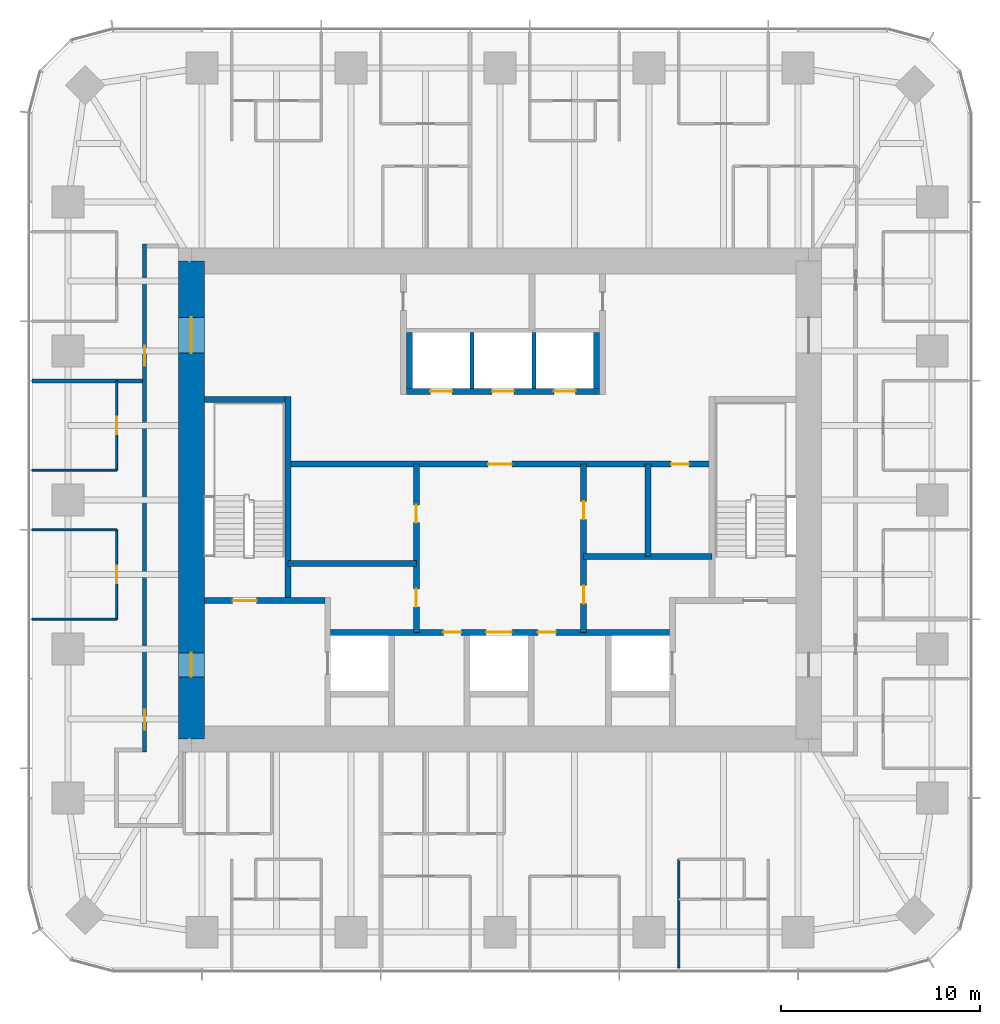
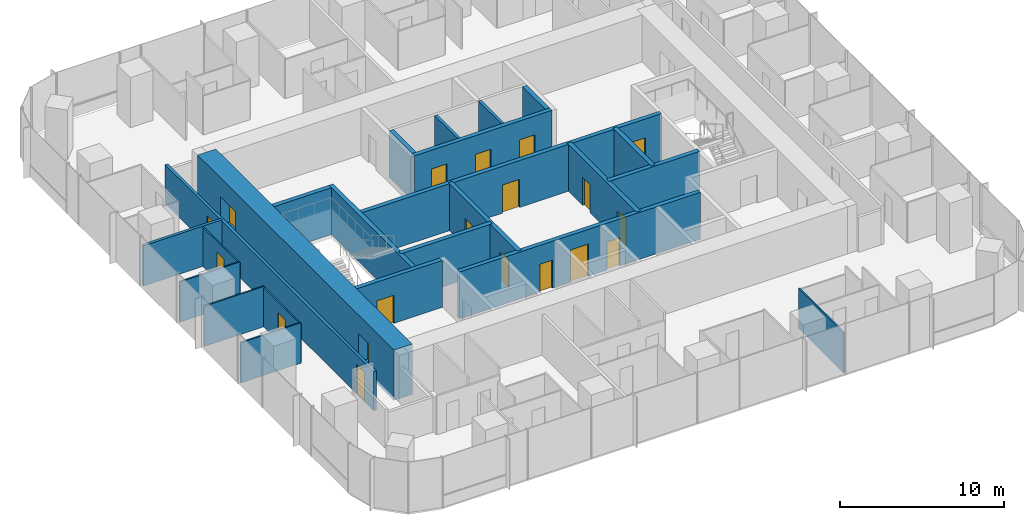
# One storey, part 9 of 12: 24 walls, 19 doors, 19 openings.
"""IFC4 building model written with IfcOpenShell, lengths in metres."""

from ifc_helpers import new_model, si_unit, direction, frame, frame_2d, origin, place, context, subcontext, project, spatial, rectangle, extrude, material, layer, layer_set, type_object, element, fill, save


model = new_model("IFC4")

# Units and contexts
model_context = context("Model", 3, precision=1e-05, world=origin(), true_north=direction((0.0, 1.0)))
body_context = subcontext(model_context, "Body", "Model", "MODEL_VIEW")
ifc_project = project(units=[si_unit("LENGTHUNIT", "METRE"), si_unit("AREAUNIT", "SQUARE_METRE"), si_unit("VOLUMEUNIT", "CUBIC_METRE"), si_unit("PLANEANGLEUNIT", "RADIAN"), si_unit("MASSUNIT", "GRAM", prefix="KILO")], contexts=[model_context])

# Site, building, storey
site_placement = place(None, origin())
site = spatial("IfcSite", under=ifc_project, at=site_placement, CompositionType="ELEMENT")
building_placement = place(site_placement, origin())
building = spatial("IfcBuilding", under=site, at=building_placement, Name="Khuree Lantern Residences", CompositionType="ELEMENT")
storey_placement = place(building_placement, frame((0.0, 0.0, 308.25)))
storey = spatial("IfcBuildingStorey", under=building, at=storey_placement, Name="L77", CompositionType="ELEMENT", Elevation=308.25)

# Wall, openings, doors
ifc_material_1 = material(Name="Dense concrete blockwork", Category="masonry")
ifc_layer_1 = layer(ifc_material_1, 0.300048828125)
ifc_layer_set_1 = layer_set([ifc_layer_1], Name="CORE PARTITION WALL CPW300 EI 120")
wall_type_1 = type_object("IfcWallType", Name="CORE PARTITION WALL CPW300 EI 120", PredefinedType="PARTITIONING", material=ifc_layer_set_1)
wall_1_placement = place(storey_placement, frame((-8.5, -6.64990234375, 0.0), z_axis=(0.0, 0.0, 1.0), x_axis=(1.0, 0.0, 0.0)))
wall_1 = element("IfcWall", 1, at=wall_1_placement, inside=storey, type_object=wall_type_1, Name="L77 CORE WALL FLROW", PredefinedType="PARTITIONING", context=body_context, shape_type="SweptSolid", body=[
    extrude(rectangle(XDim=17.0, YDim=0.300048828125, at=frame_2d((8.5, 0.0))), origin(), (0.0, 0.0, 1.0), 3.5),
])
opening_1_placement = place(wall_1_placement, frame((7.800048828125, 0.0, 0.0)))
opening_1 = element("IfcOpeningElement", 2, at=opening_1_placement, cuts=wall_1, Name="Opening 77-012", PredefinedType="OPENING", context=body_context, shape_type="SweptSolid", body=[
    extrude(rectangle(XDim=1.300048828125, YDim=2.39990234375, at=frame_2d((0.64990234375, 1.199951171875))), frame((0.0, 0.16015625, 0.0), z_axis=(0.0, -1.0, 0.0), x_axis=(1.0, 0.0, 0.0)), (0.0, 0.0, 1.0), 0.320068359375),
])
opening_2_placement = place(wall_1_placement, frame((5.64990234375, 0.0, 0.0)))
opening_2 = element("IfcOpeningElement", 3, at=opening_2_placement, cuts=wall_1, Name="Opening 77-014", PredefinedType="OPENING", context=body_context, shape_type="SweptSolid", body=[
    extrude(rectangle(XDim=0.89990234375, YDim=2.10009765625, at=frame_2d((0.449951171875, 1.050048828125))), frame((0.0, 0.16015625, 0.0), z_axis=(0.0, -1.0, 0.0), x_axis=(1.0, 0.0, 0.0)), (0.0, 0.0, 1.0), 0.320068359375),
])
opening_3_placement = place(wall_1_placement, frame((10.39990234375, 0.0, 0.0)))
opening_3 = element("IfcOpeningElement", 4, at=opening_3_placement, cuts=wall_1, Name="Opening 77-015", PredefinedType="OPENING", context=body_context, shape_type="SweptSolid", body=[
    extrude(rectangle(XDim=0.89990234375, YDim=2.10009765625, at=frame_2d((0.449951171875, 1.050048828125))), frame((0.0, 0.16015625, 0.0), z_axis=(0.0, -1.0, 0.0), x_axis=(1.0, 0.0, 0.0)), (0.0, 0.0, 1.0), 0.320068359375),
])
ifc_material_2 = material(Name="Steel door leaf in steel frame", Category="steel")
door_type_1 = type_object("IfcDoorType", Name="DOOR 900X2100 EI 60", OperationType="SINGLE_SWING_LEFT", PredefinedType="DOOR", material=ifc_material_2)
door_1_placement = place(opening_2_placement, origin())
door_1 = element("IfcDoor", 5, at=door_1_placement, inside=storey, type_object=door_type_1, Name="Refuse chute room door 77-014", OperationType="SINGLE_SWING_LEFT", OverallHeight=2.10009765625, OverallWidth=0.89990234375, PredefinedType="DOOR", context=body_context, shape_type="SweptSolid", body=[
    extrude(rectangle(XDim=0.89990234375, YDim=2.10009765625, at=frame_2d((0.449951171875, 1.050048828125))), frame((0.0, 0.02490234375, 0.0), z_axis=(0.0, -1.0, 0.0), x_axis=(1.0, 0.0, 0.0)), (0.0, 0.0, 1.0), 0.050048828125),
])
fill(opening_2, door_1)
door_type_2 = type_object("IfcDoorType", Name="DOOR 900X2100 EI 60 RIGHT HAND", OperationType="SINGLE_SWING_RIGHT", PredefinedType="DOOR", material=ifc_material_2)
door_2_placement = place(opening_3_placement, origin())
door_2 = element("IfcDoor", 6, at=door_2_placement, inside=storey, type_object=door_type_2, Name="Electrical and plumbing riser door 77-015", OperationType="SINGLE_SWING_RIGHT", OverallHeight=2.10009765625, OverallWidth=0.89990234375, PredefinedType="DOOR", context=body_context, shape_type="SweptSolid", body=[
    extrude(rectangle(XDim=0.89990234375, YDim=2.10009765625, at=frame_2d((0.449951171875, 1.050048828125))), frame((0.0, 0.02490234375, 0.0), z_axis=(0.0, -1.0, 0.0), x_axis=(1.0, 0.0, 0.0)), (0.0, 0.0, 1.0), 0.050048828125),
])
fill(opening_3, door_2)
ifc_material_3 = material(Name="Stainless steel lift landing door", Category="steel")
door_type_3 = type_object("IfcDoorType", Name="LIFT LANDING DOOR 1300X2400 E 60", OperationType="DOUBLE_DOOR_SLIDING", PredefinedType="DOOR", material=ifc_material_3)
door_3_placement = place(opening_1_placement, origin())
door_3 = element("IfcDoor", 7, at=door_3_placement, inside=storey, type_object=door_type_3, Name="Landing door SL1 77-012", OperationType="DOUBLE_DOOR_SLIDING", OverallHeight=2.39990234375, OverallWidth=1.300048828125, PredefinedType="DOOR", context=body_context, shape_type="SweptSolid", body=[
    extrude(rectangle(XDim=1.300048828125, YDim=2.39990234375, at=frame_2d((0.64990234375, 1.199951171875))), frame((0.0, 0.02490234375, 0.0), z_axis=(0.0, -1.0, 0.0), x_axis=(1.0, 0.0, 0.0)), (0.0, 0.0, 1.0), 0.050048828125),
])
fill(opening_1, door_3)

wall_2_placement = place(storey_placement, frame((-4.699951171875, 5.449951171875, 0.0), z_axis=(0.0, 0.0, 1.0), x_axis=(1.0, 0.0, 0.0)))
wall_2 = element("IfcWall", 8, at=wall_2_placement, inside=storey, type_object=wall_type_1, Name="L77 CORE WALL PHS", PredefinedType="PARTITIONING", context=body_context, shape_type="SweptSolid", body=[
    extrude(rectangle(XDim=9.699951171875, YDim=0.300048828125, at=frame_2d((4.85009765625, 0.0))), origin(), (0.0, 0.0, 1.0), 3.5),
])
opening_4_placement = place(wall_2_placement, frame((1.199951171875, 0.0, 0.0)))
opening_4 = element("IfcOpeningElement", 9, at=opening_4_placement, cuts=wall_2, Name="Opening 77-009", PredefinedType="OPENING", context=body_context, shape_type="SweptSolid", body=[
    extrude(rectangle(XDim=1.10009765625, YDim=2.10009765625, at=frame_2d((0.550048828125, 1.050048828125))), frame((0.0, 0.16015625, 0.0), z_axis=(0.0, -1.0, 0.0), x_axis=(1.0, 0.0, 0.0)), (0.0, 0.0, 1.0), 0.320068359375),
])
opening_5_placement = place(wall_2_placement, frame((4.300048828125, 0.0, 0.0)))
opening_5 = element("IfcOpeningElement", 10, at=opening_5_placement, cuts=wall_2, Name="Opening 77-010", PredefinedType="OPENING", context=body_context, shape_type="SweptSolid", body=[
    extrude(rectangle(XDim=1.10009765625, YDim=2.10009765625, at=frame_2d((0.550048828125, 1.050048828125))), frame((0.0, 0.16015625, 0.0), z_axis=(0.0, -1.0, 0.0), x_axis=(1.0, 0.0, 0.0)), (0.0, 0.0, 1.0), 0.320068359375),
])
opening_6_placement = place(wall_2_placement, frame((7.39990234375, 0.0, 0.0)))
opening_6 = element("IfcOpeningElement", 11, at=opening_6_placement, cuts=wall_2, Name="Opening 77-011", PredefinedType="OPENING", context=body_context, shape_type="SweptSolid", body=[
    extrude(rectangle(XDim=1.10009765625, YDim=2.10009765625, at=frame_2d((0.550048828125, 1.050048828125))), frame((0.0, 0.16015625, 0.0), z_axis=(0.0, -1.0, 0.0), x_axis=(1.0, 0.0, 0.0)), (0.0, 0.0, 1.0), 0.320068359375),
])
door_type_4 = type_object("IfcDoorType", Name="LIFT LANDING DOOR 1100X2100 E 60", OperationType="DOUBLE_DOOR_SLIDING", PredefinedType="DOOR", material=ifc_material_3)
door_4_placement = place(opening_4_placement, origin())
door_4 = element("IfcDoor", 12, at=door_4_placement, inside=storey, type_object=door_type_4, Name="Landing door PH1 77-009", OperationType="DOUBLE_DOOR_SLIDING", OverallHeight=2.10009765625, OverallWidth=1.10009765625, PredefinedType="DOOR", context=body_context, shape_type="SweptSolid", body=[
    extrude(rectangle(XDim=1.10009765625, YDim=2.10009765625, at=frame_2d((0.550048828125, 1.050048828125))), frame((0.0, 0.02490234375, 0.0), z_axis=(0.0, -1.0, 0.0), x_axis=(1.0, 0.0, 0.0)), (0.0, 0.0, 1.0), 0.050048828125),
])
fill(opening_4, door_4)
door_5_placement = place(opening_5_placement, origin())
door_5 = element("IfcDoor", 13, at=door_5_placement, inside=storey, type_object=door_type_4, Name="Landing door PH2 77-010", OperationType="DOUBLE_DOOR_SLIDING", OverallHeight=2.10009765625, OverallWidth=1.10009765625, PredefinedType="DOOR", context=body_context, shape_type="SweptSolid", body=[
    extrude(rectangle(XDim=1.10009765625, YDim=2.10009765625, at=frame_2d((0.550048828125, 1.050048828125))), frame((0.0, 0.02490234375, 0.0), z_axis=(0.0, -1.0, 0.0), x_axis=(1.0, 0.0, 0.0)), (0.0, 0.0, 1.0), 0.050048828125),
])
fill(opening_5, door_5)
door_6_placement = place(opening_6_placement, origin())
door_6 = element("IfcDoor", 14, at=door_6_placement, inside=storey, type_object=door_type_4, Name="Landing door PH3 77-011", OperationType="DOUBLE_DOOR_SLIDING", OverallHeight=2.10009765625, OverallWidth=1.10009765625, PredefinedType="DOOR", context=body_context, shape_type="SweptSolid", body=[
    extrude(rectangle(XDim=1.10009765625, YDim=2.10009765625, at=frame_2d((0.550048828125, 1.050048828125))), frame((0.0, 0.02490234375, 0.0), z_axis=(0.0, -1.0, 0.0), x_axis=(1.0, 0.0, 0.0)), (0.0, 0.0, 1.0), 0.050048828125),
])
fill(opening_6, door_6)

# Walls
for number, where, z_axis, x_axis, name in (
    (15, (-4.550048828125, 5.60009765625, 0.0), (0.0, 0.0, 1.0), (0.0, 1.0, 0.0), "L77 CORE WALL PHW"),
    (16, (4.85009765625, 5.60009765625, 0.0), (0.0, 0.0, 1.0), (0.0, 1.0, 0.0), "L77 CORE WALL PHE"),
):
    element("IfcWall", number, at=place(storey_placement, frame(where, z_axis=z_axis, x_axis=x_axis)), inside=storey, type_object=wall_type_1, Name=name, PredefinedType="PARTITIONING", context=body_context, shape_type="SweptSolid", body=[
        extrude(rectangle(XDim=2.7998046875, YDim=0.300048828125, at=frame_2d((1.39990234375, 0.0))), origin(), (0.0, 0.0, 1.0), 3.5),
    ])

# Wall, openings, doors
wall_3_placement = place(storey_placement, frame((-10.64990234375, 1.800048828125, 0.0), z_axis=(0.0, 0.0, 1.0), x_axis=(1.0, 0.0, 0.0)))
wall_3 = element("IfcWall", 17, at=wall_3_placement, inside=storey, type_object=wall_type_1, Name="L77 CORE WALL LLS", PredefinedType="PARTITIONING", context=body_context, shape_type="SweptSolid", body=[
    extrude(rectangle(XDim=21.2998046875, YDim=0.300048828125, at=frame_2d((10.64990234375, 0.0))), origin(), (0.0, 0.0, 1.0), 3.5),
])
opening_7_placement = place(wall_3_placement, frame((10.050048828125, 0.0, 0.0)))
opening_7 = element("IfcOpeningElement", 18, at=opening_7_placement, cuts=wall_3, Name="Opening 77-013", PredefinedType="OPENING", context=body_context, shape_type="SweptSolid", body=[
    extrude(rectangle(XDim=1.199951171875, YDim=2.10009765625, at=frame_2d((0.60009765625, 1.050048828125))), frame((0.0, 0.16015625, 0.0), z_axis=(0.0, -1.0, 0.0), x_axis=(1.0, 0.0, 0.0)), (0.0, 0.0, 1.0), 0.320068359375),
])
opening_8_placement = place(wall_3_placement, frame((19.238037109375, 0.0, 0.0)))
opening_8 = element("IfcOpeningElement", 19, at=opening_8_placement, cuts=wall_3, Name="Opening 77-020", PredefinedType="OPENING", context=body_context, shape_type="SweptSolid", body=[
    extrude(rectangle(XDim=0.89990234375, YDim=2.10009765625, at=frame_2d((0.449951171875, 1.050048828125))), frame((0.0, 0.16015625, 0.0), z_axis=(0.0, -1.0, 0.0), x_axis=(1.0, 0.0, 0.0)), (0.0, 0.0, 1.0), 0.320068359375),
])
door_type_5 = type_object("IfcDoorType", Name="DOOR 1200X2100 EI 60", OperationType="SINGLE_SWING_LEFT", PredefinedType="DOOR", material=ifc_material_2)
door_7_placement = place(opening_7_placement, origin())
door_7 = element("IfcDoor", 20, at=door_7_placement, inside=storey, type_object=door_type_5, Name="Service lift lobby door 77-013", OperationType="SINGLE_SWING_LEFT", OverallHeight=2.10009765625, OverallWidth=1.199951171875, PredefinedType="DOOR", context=body_context, shape_type="SweptSolid", body=[
    extrude(rectangle(XDim=1.199951171875, YDim=2.10009765625, at=frame_2d((0.60009765625, 1.050048828125))), frame((0.0, 0.02490234375, 0.0), z_axis=(0.0, -1.0, 0.0), x_axis=(1.0, 0.0, 0.0)), (0.0, 0.0, 1.0), 0.050048828125),
])
fill(opening_7, door_7)
ifc_material_4 = material(Name="Timber door leaf in hardwood frame", Category="wood")
door_type_6 = type_object("IfcDoorType", Name="DOOR 900X2100 RIGHT HAND", OperationType="SINGLE_SWING_RIGHT", PredefinedType="DOOR", material=ifc_material_4)
door_8_placement = place(opening_8_placement, origin())
door_8 = element("IfcDoor", 21, at=door_8_placement, inside=storey, type_object=door_type_6, Name="Housekeeping store door 77-020", OperationType="SINGLE_SWING_RIGHT", OverallHeight=2.10009765625, OverallWidth=0.89990234375, PredefinedType="DOOR", context=body_context, shape_type="SweptSolid", body=[
    extrude(rectangle(XDim=0.89990234375, YDim=2.10009765625, at=frame_2d((0.449951171875, 1.050048828125))), frame((0.0, 0.02490234375, 0.0), z_axis=(0.0, -1.0, 0.0), x_axis=(1.0, 0.0, 0.0)), (0.0, 0.0, 1.0), 0.050048828125),
])
fill(opening_8, door_8)

wall_4_placement = place(storey_placement, frame((-4.199951171875, -6.64990234375, 0.0), z_axis=(0.0, 0.0, 1.0), x_axis=(0.0, 1.0, 0.0)))
wall_4 = element("IfcWall", 22, at=wall_4_placement, inside=storey, type_object=wall_type_1, Name="L77 CORE WALL SVW", PredefinedType="PARTITIONING", context=body_context, shape_type="SweptSolid", body=[
    extrude(rectangle(XDim=8.449951171875, YDim=0.300048828125, at=frame_2d((4.22509765625, 0.0))), origin(), (0.0, 0.0, 1.0), 3.5),
])
opening_9_placement = place(wall_4_placement, frame((1.284912109375, 0.0, 0.0)))
opening_9 = element("IfcOpeningElement", 23, at=opening_9_placement, cuts=wall_4, Name="Opening 77-016", PredefinedType="OPENING", context=body_context, shape_type="SweptSolid", body=[
    extrude(rectangle(XDim=0.89990234375, YDim=2.10009765625, at=frame_2d((0.449951171875, 1.050048828125))), frame((0.0, 0.16015625, 0.0), z_axis=(0.0, -1.0, 0.0), x_axis=(1.0, 0.0, 0.0)), (0.0, 0.0, 1.0), 0.320068359375),
])
opening_10_placement = place(wall_4_placement, frame((5.510009765625, 0.0, 0.0)))
opening_10 = element("IfcOpeningElement", 24, at=opening_10_placement, cuts=wall_4, Name="Opening 77-017", PredefinedType="OPENING", context=body_context, shape_type="SweptSolid", body=[
    extrude(rectangle(XDim=0.89990234375, YDim=2.10009765625, at=frame_2d((0.449951171875, 1.050048828125))), frame((0.0, 0.16015625, 0.0), z_axis=(0.0, -1.0, 0.0), x_axis=(1.0, 0.0, 0.0)), (0.0, 0.0, 1.0), 0.320068359375),
])
door_type_7 = type_object("IfcDoorType", Name="DOOR 900X2100", OperationType="SINGLE_SWING_LEFT", PredefinedType="DOOR", material=ifc_material_4)
door_9_placement = place(opening_9_placement, origin())
door_9 = element("IfcDoor", 25, at=door_9_placement, inside=storey, type_object=door_type_7, Name="Bulky waste store door 77-016", OperationType="SINGLE_SWING_LEFT", OverallHeight=2.10009765625, OverallWidth=0.89990234375, PredefinedType="DOOR", context=body_context, shape_type="SweptSolid", body=[
    extrude(rectangle(XDim=0.89990234375, YDim=2.10009765625, at=frame_2d((0.449951171875, 1.050048828125))), frame((0.0, 0.02490234375, 0.0), z_axis=(0.0, -1.0, 0.0), x_axis=(1.0, 0.0, 0.0)), (0.0, 0.0, 1.0), 0.050048828125),
])
fill(opening_9, door_9)
door_10_placement = place(opening_10_placement, origin())
door_10 = element("IfcDoor", 26, at=door_10_placement, inside=storey, type_object=door_type_7, Name="Residents' store door 77-017", OperationType="SINGLE_SWING_LEFT", OverallHeight=2.10009765625, OverallWidth=0.89990234375, PredefinedType="DOOR", context=body_context, shape_type="SweptSolid", body=[
    extrude(rectangle(XDim=0.89990234375, YDim=2.10009765625, at=frame_2d((0.449951171875, 1.050048828125))), frame((0.0, 0.02490234375, 0.0), z_axis=(0.0, -1.0, 0.0), x_axis=(1.0, 0.0, 0.0)), (0.0, 0.0, 1.0), 0.050048828125),
])
fill(opening_10, door_10)

wall_5_placement = place(storey_placement, frame((4.199951171875, -6.64990234375, 0.0), z_axis=(0.0, 0.0, 1.0), x_axis=(0.0, 1.0, 0.0)))
wall_5 = element("IfcWall", 27, at=wall_5_placement, inside=storey, type_object=wall_type_1, Name="L77 CORE WALL SVE", PredefinedType="PARTITIONING", context=body_context, shape_type="SweptSolid", body=[
    extrude(rectangle(XDim=8.449951171875, YDim=0.300048828125, at=frame_2d((4.22509765625, 0.0))), origin(), (0.0, 0.0, 1.0), 3.5),
])
opening_11_placement = place(wall_5_placement, frame((1.450927734375, 0.0, 0.0)))
opening_11 = element("IfcOpeningElement", 28, at=opening_11_placement, cuts=wall_5, Name="Opening 77-018", PredefinedType="OPENING", context=body_context, shape_type="SweptSolid", body=[
    extrude(rectangle(XDim=0.89990234375, YDim=2.10009765625, at=frame_2d((0.449951171875, 1.050048828125))), frame((0.0, 0.16015625, 0.0), z_axis=(0.0, -1.0, 0.0), x_axis=(1.0, 0.0, 0.0)), (0.0, 0.0, 1.0), 0.320068359375),
])
opening_12_placement = place(wall_5_placement, frame((5.676025390625, 0.0, 0.0)))
opening_12 = element("IfcOpeningElement", 29, at=opening_12_placement, cuts=wall_5, Name="Opening 77-019", PredefinedType="OPENING", context=body_context, shape_type="SweptSolid", body=[
    extrude(rectangle(XDim=0.89990234375, YDim=2.10009765625, at=frame_2d((0.449951171875, 1.050048828125))), frame((0.0, 0.16015625, 0.0), z_axis=(0.0, -1.0, 0.0), x_axis=(1.0, 0.0, 0.0)), (0.0, 0.0, 1.0), 0.320068359375),
])
door_11_placement = place(opening_11_placement, origin())
door_11 = element("IfcDoor", 30, at=door_11_placement, inside=storey, type_object=door_type_7, Name="Bulky waste store door 77-018", OperationType="SINGLE_SWING_LEFT", OverallHeight=2.10009765625, OverallWidth=0.89990234375, PredefinedType="DOOR", context=body_context, shape_type="SweptSolid", body=[
    extrude(rectangle(XDim=0.89990234375, YDim=2.10009765625, at=frame_2d((0.449951171875, 1.050048828125))), frame((0.0, 0.02490234375, 0.0), z_axis=(0.0, -1.0, 0.0), x_axis=(1.0, 0.0, 0.0)), (0.0, 0.0, 1.0), 0.050048828125),
])
fill(opening_11, door_11)
door_12_placement = place(opening_12_placement, origin())
door_12 = element("IfcDoor", 31, at=door_12_placement, inside=storey, type_object=door_type_6, Name="Refuse holding room door 77-019", OperationType="SINGLE_SWING_RIGHT", OverallHeight=2.10009765625, OverallWidth=0.89990234375, PredefinedType="DOOR", context=body_context, shape_type="SweptSolid", body=[
    extrude(rectangle(XDim=0.89990234375, YDim=2.10009765625, at=frame_2d((0.449951171875, 1.050048828125))), frame((0.0, 0.02490234375, 0.0), z_axis=(0.0, -1.0, 0.0), x_axis=(1.0, 0.0, 0.0)), (0.0, 0.0, 1.0), 0.050048828125),
])
fill(opening_12, door_12)

# Walls
for number, where, z_axis, x_axis, name in (
    (32, (-10.64990234375, -3.179931640625, 0.0), (0.0, 0.0, 1.0), (1.0, 0.0, 0.0), "L77 CORE WALL WX"),
    (33, (10.64990234375, -2.847900390625, 0.0), (0.0, 0.0, 1.0), (-1.0, 0.0, 0.0), "L77 CORE WALL EX"),
):
    element("IfcWall", number, at=place(storey_placement, frame(where, z_axis=z_axis, x_axis=x_axis)), inside=storey, type_object=wall_type_1, Name=name, PredefinedType="PARTITIONING", context=body_context, shape_type="SweptSolid", body=[
        extrude(rectangle(XDim=6.449951171875, YDim=0.300048828125, at=frame_2d((3.22509765625, 0.0))), origin(), (0.0, 0.0, 1.0), 3.5),
    ])
wall_6_placement = place(storey_placement, frame((7.425048828125, -2.847900390625, 0.0), z_axis=(0.0, 0.0, 1.0), x_axis=(0.0, 1.0, 0.0)))
element("IfcWall", 34, at=wall_6_placement, inside=storey, type_object=wall_type_1, Name="L77 CORE WALL EV", PredefinedType="PARTITIONING", context=body_context, shape_type="SweptSolid", body=[
    extrude(rectangle(XDim=4.64794921875, YDim=0.300048828125, at=frame_2d((2.323974609375, 0.0))), origin(), (0.0, 0.0, 1.0), 3.5),
])

# Wall, openings, doors
ifc_material_5 = material(Name="Gypsum board on steel studs", Category="steel")
ifc_layer_2 = layer(ifc_material_5, 0.199951171875)
ifc_layer_set_2 = layer_set([ifc_layer_2], Name="CORRIDOR WALL CRW200 EI 60")
wall_type_2 = type_object("IfcWallType", Name="CORRIDOR WALL CRW200 EI 60", PredefinedType="PARTITIONING", material=ifc_layer_set_2)
wall_7_placement = place(storey_placement, frame((-17.85009765625, 12.85009765625, 0.0), z_axis=(0.0, 0.0, 1.0), x_axis=(0.0, -1.0, 0.0)))
wall_7 = element("IfcWall", 35, at=wall_7_placement, inside=storey, type_object=wall_type_2, Name="L77 CORRIDOR WALL WEST 1", PredefinedType="PARTITIONING", context=body_context, shape_type="SweptSolid", body=[
    extrude(rectangle(XDim=25.5, YDim=0.199951171875, at=frame_2d((12.75, 0.0))), origin(), (0.0, 0.0, 1.0), 2.89990234375),
])
opening_13_placement = place(wall_7_placement, frame((5.10009765625, 0.0, 0.0)))
opening_13 = element("IfcOpeningElement", 36, at=opening_13_placement, cuts=wall_7, Name="Opening 77-039", PredefinedType="OPENING", context=body_context, shape_type="SweptSolid", body=[
    extrude(rectangle(XDim=1.0, YDim=2.199951171875, at=frame_2d((0.5, 1.10009765625))), frame((0.0, 0.10986328125, 0.0), z_axis=(0.0, -1.0, 0.0), x_axis=(1.0, 0.0, 0.0)), (0.0, 0.0, 1.0), 0.219970703125),
])
opening_14_placement = place(wall_7_placement, frame((23.385986328125, 0.0, 0.0)))
opening_14 = element("IfcOpeningElement", 37, at=opening_14_placement, cuts=wall_7, Name="Opening 77-046", PredefinedType="OPENING", context=body_context, shape_type="SweptSolid", body=[
    extrude(rectangle(XDim=1.0, YDim=2.199951171875, at=frame_2d((0.5, 1.10009765625))), frame((0.0, 0.10986328125, 0.0), z_axis=(0.0, -1.0, 0.0), x_axis=(1.0, 0.0, 0.0)), (0.0, 0.0, 1.0), 0.219970703125),
])
door_type_8 = type_object("IfcDoorType", Name="APARTMENT ENTRANCE DOOR 1000X2200 EI 30S", OperationType="SINGLE_SWING_LEFT", PredefinedType="DOOR", material=ifc_material_4)
door_13_placement = place(opening_13_placement, origin())
door_13 = element("IfcDoor", 38, at=door_13_placement, inside=storey, type_object=door_type_8, Name="Apartment 02 entrance door 77-039", OperationType="SINGLE_SWING_LEFT", OverallHeight=2.199951171875, OverallWidth=1.0, PredefinedType="DOOR", context=body_context, shape_type="SweptSolid", body=[
    extrude(rectangle(XDim=1.0, YDim=2.199951171875, at=frame_2d((0.5, 1.10009765625))), frame((0.0, 0.02490234375, 0.0), z_axis=(0.0, -1.0, 0.0), x_axis=(1.0, 0.0, 0.0)), (0.0, 0.0, 1.0), 0.050048828125),
])
fill(opening_13, door_13)
door_14_placement = place(opening_14_placement, origin())
door_14 = element("IfcDoor", 39, at=door_14_placement, inside=storey, type_object=door_type_8, Name="Apartment 03 entrance door 77-046", OperationType="SINGLE_SWING_LEFT", OverallHeight=2.199951171875, OverallWidth=1.0, PredefinedType="DOOR", context=body_context, shape_type="SweptSolid", body=[
    extrude(rectangle(XDim=1.0, YDim=2.199951171875, at=frame_2d((0.5, 1.10009765625))), frame((0.0, 0.02490234375, 0.0), z_axis=(0.0, -1.0, 0.0), x_axis=(1.0, 0.0, 0.0)), (0.0, 0.0, 1.0), 0.050048828125),
])
fill(opening_14, door_14)

ifc_material_6 = material(Name="Concrete C50/60", Category="concrete")
ifc_layer_3 = layer(ifc_material_6, 1.300048828125)
ifc_layer_set_3 = layer_set([ifc_layer_3], Name="CW1300-C50 CORE WALL C50 1300")
wall_type_3 = type_object("IfcWallType", Name="CW1300-C50 CORE WALL C50 1300", PredefinedType="SHEAR", material=ifc_layer_set_3)
wall_8_placement = place(storey_placement, frame((-15.5, -12.0, -0.25), z_axis=(0.0, 0.0, 1.0), x_axis=(0.0, 1.0, 0.0)))
wall_8 = element("IfcWall", 40, at=wall_8_placement, inside=storey, type_object=wall_type_3, Name="Core wall W", PredefinedType="SHEAR", context=body_context, shape_type="SweptSolid", body=[
    extrude(rectangle(XDim=24.0, YDim=1.300048828125, at=frame_2d((12.0, 0.0))), origin(), (0.0, 0.0, 1.0), 3.75),
])
opening_15_placement = place(wall_8_placement, frame((3.125, 0.0, 0.25)))
opening_15 = element("IfcOpeningElement", 41, at=opening_15_placement, cuts=wall_8, Name="Opening 77-002", PredefinedType="OPENING", context=body_context, shape_type="SweptSolid", body=[
    extrude(rectangle(XDim=1.199951171875, YDim=2.10009765625, at=frame_2d((0.60009765625, 1.050048828125))), frame((0.0, 0.66015625, 0.0), z_axis=(0.0, -1.0, 0.0), x_axis=(1.0, 0.0, 0.0)), (0.0, 0.0, 1.0), 1.320068359375),
])
opening_16_placement = place(wall_8_placement, frame((19.375, 0.0, 0.25)))
opening_16 = element("IfcOpeningElement", 42, at=opening_16_placement, cuts=wall_8, Name="Opening 77-003", PredefinedType="OPENING", context=body_context, shape_type="SweptSolid", body=[
    extrude(rectangle(XDim=1.800048828125, YDim=2.10009765625, at=frame_2d((0.89990234375, 1.050048828125))), frame((0.0, 0.66015625, 0.0), z_axis=(0.0, -1.0, 0.0), x_axis=(1.0, 0.0, 0.0)), (0.0, 0.0, 1.0), 1.320068359375),
])
door_type_9 = type_object("IfcDoorType", Name="LOBBY DOOR 1200X2100 EI 120", OperationType="SINGLE_SWING_LEFT", PredefinedType="DOOR", material=ifc_material_2)
door_15_placement = place(opening_15_placement, origin())
door_15 = element("IfcDoor", 43, at=door_15_placement, inside=storey, type_object=door_type_9, Name="Firefighting lobby door 77-002", OperationType="SINGLE_SWING_LEFT", OverallHeight=2.10009765625, OverallWidth=1.199951171875, PredefinedType="DOOR", context=body_context, shape_type="SweptSolid", body=[
    extrude(rectangle(XDim=1.199951171875, YDim=2.10009765625, at=frame_2d((0.60009765625, 1.050048828125))), frame((0.0, 0.02490234375, 0.0), z_axis=(0.0, -1.0, 0.0), x_axis=(1.0, 0.0, 0.0)), (0.0, 0.0, 1.0), 0.050048828125),
])
fill(opening_15, door_15)
door_type_10 = type_object("IfcDoorType", Name="LOBBY DOUBLE DOOR 1800X2100 EI 60", OperationType="DOUBLE_DOOR_SINGLE_SWING", PredefinedType="DOOR", material=ifc_material_2)
door_16_placement = place(opening_16_placement, origin())
door_16 = element("IfcDoor", 44, at=door_16_placement, inside=storey, type_object=door_type_10, Name="Lift lobby door 77-003", OperationType="DOUBLE_DOOR_SINGLE_SWING", OverallHeight=2.10009765625, OverallWidth=1.800048828125, PredefinedType="DOOR", context=body_context, shape_type="SweptSolid", body=[
    extrude(rectangle(XDim=1.800048828125, YDim=2.10009765625, at=frame_2d((0.89990234375, 1.050048828125))), frame((0.0, 0.02490234375, 0.0), z_axis=(0.0, -1.0, 0.0), x_axis=(1.0, 0.0, 0.0)), (0.0, 0.0, 1.0), 0.050048828125),
])
fill(opening_16, door_16)

# Walls
ifc_layer_4 = layer(ifc_material_5, 0.199951171875)
ifc_layer_set_4 = layer_set([ifc_layer_4], Name="DEMISING WALL DMW200 EI 90")
wall_type_4 = type_object("IfcWallType", Name="DEMISING WALL DMW200 EI 90", PredefinedType="PARTITIONING", material=ifc_layer_set_4)
wall_9_placement = place(storey_placement, frame((-17.949951171875, 5.98388671875, 0.0), z_axis=(0.0, 0.0, 1.0), x_axis=(-1.0, 0.0, 0.0)))
element("IfcWall", 45, at=wall_9_placement, inside=storey, type_object=wall_type_4, Name="L77 DEMISING WALL 03", PredefinedType="PARTITIONING", context=body_context, shape_type="SweptSolid", body=[
    extrude(rectangle(XDim=5.550048828125, YDim=0.199951171875, at=frame_2d((2.77490234375, 0.0))), origin(), (0.0, 0.0, 1.0), 3.010009765625),
])
ifc_layer_5 = layer(ifc_material_5, 0.10009765625)
ifc_layer_set_5 = layer_set([ifc_layer_5], Name="PARTITION PT100")
wall_type_5 = type_object("IfcWallType", Name="PARTITION PT100", PredefinedType="PARTITIONING", material=ifc_layer_set_5)
for number, where, z_axis, x_axis, name in (
    (46, (-19.25, 1.49609375, 0.0), (0.0, 0.0, 1.0), (-1.0, 0.0, 0.0), "L77 PARTITION 03"),
    (47, (-19.25, -1.49609375, 0.0), (0.0, 0.0, 1.0), (-1.0, 0.0, 0.0), "L77 PARTITION 03"),
    (48, (-19.25, -5.98388671875, 0.0), (0.0, 0.0, 1.0), (-1.0, 0.0, 0.0), "L77 PARTITION 03"),
):
    element("IfcWall", number, at=place(storey_placement, frame(where, z_axis=z_axis, x_axis=x_axis)), inside=storey, type_object=wall_type_5, Name=name, PredefinedType="PARTITIONING", context=body_context, shape_type="SweptSolid", body=[
        extrude(rectangle(XDim=4.25, YDim=0.10009765625, at=frame_2d((2.125, 0.0))), origin(), (0.0, 0.0, 1.0), 3.010009765625),
    ])
wall_10_placement = place(storey_placement, frame((8.97607421875, -18.04638671875, 0.0), z_axis=(0.0, 0.0, 1.0), x_axis=(0.0, -1.0, 0.0)))
element("IfcWall", 49, at=wall_10_placement, inside=storey, type_object=wall_type_5, Name="L77 PARTITION 04", PredefinedType="PARTITIONING", context=body_context, shape_type="SweptSolid", body=[
    extrude(rectangle(XDim=5.45361328125, YDim=0.10009765625, at=frame_2d((2.726806640625, 0.0))), origin(), (0.0, 0.0, 1.0), 3.010009765625),
])

# Wall, opening, door
wall_11_placement = place(storey_placement, frame((-19.25, 5.98388671875, 0.0), z_axis=(0.0, 0.0, 1.0), x_axis=(0.0, -1.0, 0.0)))
wall_11 = element("IfcWall", 50, at=wall_11_placement, inside=storey, type_object=wall_type_5, Name="L77 PARTITION 03", PredefinedType="PARTITIONING", context=body_context, shape_type="SweptSolid", body=[
    extrude(rectangle(XDim=4.48779296875, YDim=0.10009765625, at=frame_2d((2.243896484375, 0.0))), origin(), (0.0, 0.0, 1.0), 2.909912109375),
])
opening_17_placement = place(wall_11_placement, frame((1.7939453125, 0.0, 0.0)))
opening_17 = element("IfcOpeningElement", 51, at=opening_17_placement, cuts=wall_11, Name="Opening 77-040", PredefinedType="OPENING", context=body_context, shape_type="SweptSolid", body=[
    extrude(rectangle(XDim=0.89990234375, YDim=2.10009765625, at=frame_2d((0.449951171875, 1.050048828125))), frame((0.0, 0.06005859375, 0.0), z_axis=(0.0, -1.0, 0.0), x_axis=(1.0, 0.0, 0.0)), (0.0, 0.0, 1.0), 0.1201171875),
])
door_type_11 = type_object("IfcDoorType", Name="BEDROOM DOOR 900X2100", OperationType="SINGLE_SWING_LEFT", PredefinedType="DOOR", material=ifc_material_4)
door_17_placement = place(opening_17_placement, origin())
door_17 = element("IfcDoor", 52, at=door_17_placement, inside=storey, type_object=door_type_11, Name="Bedroom door 77-040", OperationType="SINGLE_SWING_LEFT", OverallHeight=2.10009765625, OverallWidth=0.89990234375, PredefinedType="DOOR", context=body_context, shape_type="SweptSolid", body=[
    extrude(rectangle(XDim=0.89990234375, YDim=2.10009765625, at=frame_2d((0.449951171875, 1.050048828125))), frame((0.0, 0.02490234375, 0.0), z_axis=(0.0, -1.0, 0.0), x_axis=(1.0, 0.0, 0.0)), (0.0, 0.0, 1.0), 0.050048828125),
])
fill(opening_17, door_17)

wall_12_placement = place(storey_placement, frame((-19.25, -1.49609375, 0.0), z_axis=(0.0, 0.0, 1.0), x_axis=(0.0, -1.0, 0.0)))
wall_12 = element("IfcWall", 53, at=wall_12_placement, inside=storey, type_object=wall_type_5, Name="L77 PARTITION 03", PredefinedType="PARTITIONING", context=body_context, shape_type="SweptSolid", body=[
    extrude(rectangle(XDim=4.48779296875, YDim=0.10009765625, at=frame_2d((2.243896484375, 0.0))), origin(), (0.0, 0.0, 1.0), 2.909912109375),
])
opening_18_placement = place(wall_12_placement, frame((1.7939453125, 0.0, 0.0)))
opening_18 = element("IfcOpeningElement", 54, at=opening_18_placement, cuts=wall_12, Name="Opening 77-041", PredefinedType="OPENING", context=body_context, shape_type="SweptSolid", body=[
    extrude(rectangle(XDim=0.89990234375, YDim=2.10009765625, at=frame_2d((0.449951171875, 1.050048828125))), frame((0.0, 0.06005859375, 0.0), z_axis=(0.0, -1.0, 0.0), x_axis=(1.0, 0.0, 0.0)), (0.0, 0.0, 1.0), 0.1201171875),
])
door_18_placement = place(opening_18_placement, origin())
door_18 = element("IfcDoor", 55, at=door_18_placement, inside=storey, type_object=door_type_11, Name="Bedroom door 77-041", OperationType="SINGLE_SWING_LEFT", OverallHeight=2.10009765625, OverallWidth=0.89990234375, PredefinedType="DOOR", context=body_context, shape_type="SweptSolid", body=[
    extrude(rectangle(XDim=0.89990234375, YDim=2.10009765625, at=frame_2d((0.449951171875, 1.050048828125))), frame((0.0, 0.02490234375, 0.0), z_axis=(0.0, -1.0, 0.0), x_axis=(1.0, 0.0, 0.0)), (0.0, 0.0, 1.0), 0.050048828125),
])
fill(opening_18, door_18)

# Walls
ifc_layer_6 = layer(ifc_material_1, 0.199951171875)
ifc_layer_set_6 = layer_set([ifc_layer_6], Name="SHAFT WALL SHW200 EI 120")
wall_type_6 = type_object("IfcWallType", Name="SHAFT WALL SHW200 EI 120", PredefinedType="PARTITIONING", material=ifc_layer_set_6)
for number, where, z_axis, x_axis, name in (
    (56, (-1.39990234375, 5.60009765625, 0.0), (0.0, 0.0, 1.0), (0.0, 1.0, 0.0), "L77 CORE WALL PHD1"),
    (57, (1.699951171875, 5.60009765625, 0.0), (0.0, 0.0, 1.0), (0.0, 1.0, 0.0), "L77 CORE WALL PHD2"),
):
    element("IfcWall", number, at=place(storey_placement, frame(where, z_axis=z_axis, x_axis=x_axis)), inside=storey, type_object=wall_type_6, Name=name, PredefinedType="PARTITIONING", context=body_context, shape_type="SweptSolid", body=[
        extrude(rectangle(XDim=2.7998046875, YDim=0.199951171875, at=frame_2d((1.39990234375, 0.0))), origin(), (0.0, 0.0, 1.0), 3.5),
    ])
ifc_layer_7 = layer(ifc_material_6, 0.300048828125)
ifc_layer_set_7 = layer_set([ifc_layer_7], Name="STAIR WALL SRW300 C50/60 REI 240")
wall_type_7 = type_object("IfcWallType", Name="STAIR WALL SRW300 C50/60 REI 240", PredefinedType="SOLIDWALL", material=ifc_layer_set_7)
wall_13_placement = place(storey_placement, frame((-10.64990234375, -4.89990234375, 0.0), z_axis=(0.0, 0.0, 1.0), x_axis=(0.0, 1.0, 0.0)))
element("IfcWall", 58, at=wall_13_placement, inside=storey, type_object=wall_type_7, Name="L77 STAIR WALL ST1E", PredefinedType="SOLIDWALL", context=body_context, shape_type="SweptSolid", body=[
    extrude(rectangle(XDim=10.099853515625, YDim=0.300048828125, at=frame_2d((5.0498046875, 0.0))), origin(), (0.0, 0.0, 1.0), 3.5),
])

# Wall, opening, door
wall_14_placement = place(storey_placement, frame((-14.85009765625, -5.050048828125, 0.0), z_axis=(0.0, 0.0, 1.0), x_axis=(1.0, 0.0, 0.0)))
wall_14 = element("IfcWall", 59, at=wall_14_placement, inside=storey, type_object=wall_type_7, Name="L77 STAIR WALL ST1S", PredefinedType="SOLIDWALL", context=body_context, shape_type="SweptSolid", body=[
    extrude(rectangle(XDim=6.050048828125, YDim=0.300048828125, at=frame_2d((3.02490234375, 0.0))), origin(), (0.0, 0.0, 1.0), 3.5),
])
opening_19_placement = place(wall_14_placement, frame((1.425048828125, 0.0, 0.0)))
opening_19 = element("IfcOpeningElement", 60, at=opening_19_placement, cuts=wall_14, Name="Opening 77-001", PredefinedType="OPENING", context=body_context, shape_type="SweptSolid", body=[
    extrude(rectangle(XDim=1.199951171875, YDim=2.10009765625, at=frame_2d((0.60009765625, 1.050048828125))), frame((0.0, 0.16015625, 0.0), z_axis=(0.0, -1.0, 0.0), x_axis=(1.0, 0.0, 0.0)), (0.0, 0.0, 1.0), 0.320068359375),
])
door_type_12 = type_object("IfcDoorType", Name="STAIR DOOR 1200X2100 EI 120", OperationType="SINGLE_SWING_LEFT", PredefinedType="DOOR", material=ifc_material_2)
door_19_placement = place(opening_19_placement, origin())
door_19 = element("IfcDoor", 61, at=door_19_placement, inside=storey, type_object=door_type_12, Name="Stair ST1 door 77-001", OperationType="SINGLE_SWING_LEFT", OverallHeight=2.10009765625, OverallWidth=1.199951171875, PredefinedType="DOOR", context=body_context, shape_type="SweptSolid", body=[
    extrude(rectangle(XDim=1.199951171875, YDim=2.10009765625, at=frame_2d((0.60009765625, 1.050048828125))), frame((0.0, 0.02490234375, 0.0), z_axis=(0.0, -1.0, 0.0), x_axis=(1.0, 0.0, 0.0)), (0.0, 0.0, 1.0), 0.050048828125),
])
fill(opening_19, door_19)

# Wall
wall_15_placement = place(storey_placement, frame((-14.85009765625, 5.050048828125, 0.0), z_axis=(0.0, 0.0, 1.0), x_axis=(1.0, 0.0, 0.0)))
element("IfcWall", 62, at=wall_15_placement, inside=storey, type_object=wall_type_7, Name="L77 STAIR WALL ST1N", PredefinedType="SOLIDWALL", context=body_context, shape_type="SweptSolid", body=[
    extrude(rectangle(XDim=4.050048828125, YDim=0.300048828125, at=frame_2d((2.02490234375, 0.0))), origin(), (0.0, 0.0, 1.0), 3.5),
])

save(model, "model.ifc")
